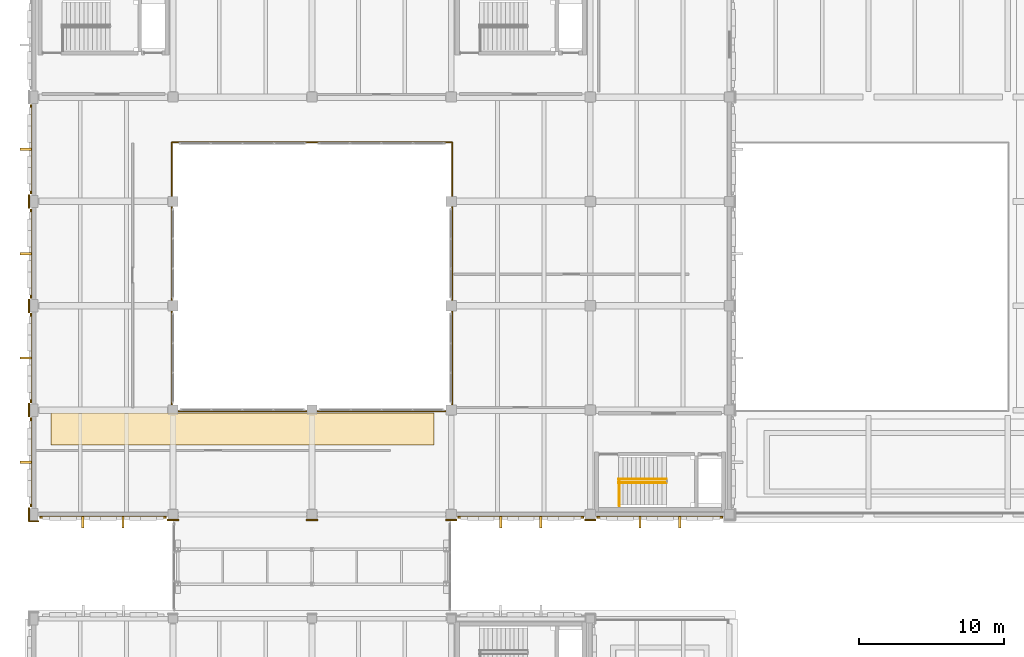
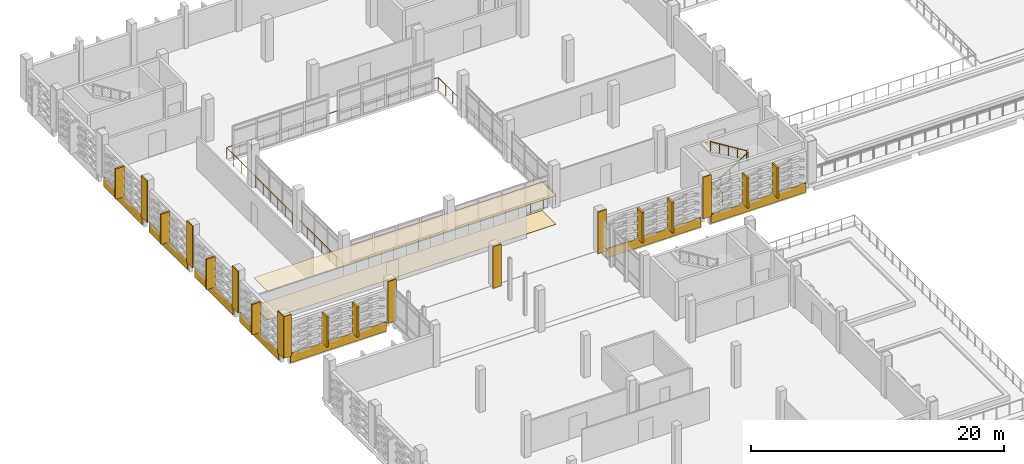
# One storey, part 126 of 134: 28 coverings, 5 railings.
"""IFC4 building model written with IfcOpenShell, lengths in metres."""

from ifc_helpers import new_model, si_unit, direction, frame, origin, origin_2d, place, context, subcontext, project, spatial, polyline, rectangle, circle, outline, extrude, material, layer, layer_set, type_object, element, save


model = new_model("IFC4")

# Units and contexts
model_context = context("Model", 3, precision=1e-05, world=origin(), true_north=direction((0.0, 1.0)))
body_context = subcontext(model_context, "Body", "Model", "MODEL_VIEW")
ifc_project = project(units=[si_unit("LENGTHUNIT", "METRE"), si_unit("AREAUNIT", "SQUARE_METRE"), si_unit("VOLUMEUNIT", "CUBIC_METRE"), si_unit("PLANEANGLEUNIT", "RADIAN"), si_unit("MASSUNIT", "GRAM", prefix="KILO")], contexts=[model_context])

# Site, building, storey
site_placement = place(None, origin())
site = spatial("IfcSite", under=ifc_project, at=site_placement, CompositionType="ELEMENT")
building_placement = place(site_placement, origin())
building = spatial("IfcBuilding", under=site, at=building_placement, Name="Asteropetra Specialist Clinic", CompositionType="ELEMENT")
storey_placement = place(building_placement, frame((0.0, 0.0, 8.5)))
storey = spatial("IfcBuildingStorey", under=building, at=storey_placement, Name="L02", CompositionType="ELEMENT", Elevation=8.5)

# Coverings
ifc_material_1 = material(Name="Chevron terracotta mid", Category="masonry")
ifc_layer_1 = layer(ifc_material_1, 0.1201171875)
ifc_layer_set_1 = layer_set([ifc_layer_1], Name="Chevron terracotta mid")
covering_type_1 = type_object("IfcCoveringType", Name="CLD-TER-MID", PredefinedType="CLADDING", material=ifc_layer_set_1)
covering_1_placement = place(storey_placement, frame((4.77490234375, 69.409912109375, -0.800048828125), z_axis=(0.0, 0.0, 1.0), x_axis=(1.0, 0.0, 0.0)))
element("IfcCovering", 1, at=covering_1_placement, inside=storey, type_object=covering_type_1, Name="Chevron Spandrel Band CV-1424", PredefinedType="CLADDING", context=body_context, shape_type="SweptSolid", body=[
    extrude(rectangle(XDim=8.75, YDim=0.1201171875, at=origin_2d()), origin(), (0.0, 0.0, 1.0), 0.8798828125),
])
for number, where, z_axis, x_axis, name in (
    (2, (33.60009765625, 69.409912109375, -0.800048828125), (0.0, 0.0, 1.0), (1.0, 0.0, 0.0), "Chevron Spandrel Band CV-1428"),
    (3, (43.199951171875, 69.409912109375, -0.800048828125), (0.0, 0.0, 1.0), (1.0, 0.0, 0.0), "Chevron Spandrel Band CV-1430"),
):
    element("IfcCovering", number, at=place(storey_placement, frame(where, z_axis=z_axis, x_axis=x_axis)), inside=storey, type_object=covering_type_1, Name=name, PredefinedType="CLADDING", context=body_context, shape_type="SweptSolid", body=[
        extrude(rectangle(XDim=8.699951171875, YDim=0.1201171875, at=origin_2d()), origin(), (0.0, 0.0, 1.0), 0.8798828125),
    ])
for number, where, z_axis, x_axis, name in (
    (4, (-0.18994140625, 73.199951171875, -0.800048828125), (0.0, 0.0, 1.0), (1.0, 0.0, 0.0), "Chevron Spandrel Band CV-1432"),
    (5, (-0.18994140625, 80.39990234375, -0.800048828125), (0.0, 0.0, 1.0), (1.0, 0.0, 0.0), "Chevron Spandrel Band CV-1434"),
    (6, (-0.18994140625, 87.60009765625, -0.800048828125), (0.0, 0.0, 1.0), (1.0, 0.0, 0.0), "Chevron Spandrel Band CV-1436"),
    (7, (-0.18994140625, 94.800048828125, -0.800048828125), (0.0, 0.0, 1.0), (1.0, 0.0, 0.0), "Chevron Spandrel Band CV-1438"),
):
    element("IfcCovering", number, at=place(storey_placement, frame(where, z_axis=z_axis, x_axis=x_axis)), inside=storey, type_object=covering_type_1, Name=name, PredefinedType="CLADDING", context=body_context, shape_type="SweptSolid", body=[
        extrude(rectangle(XDim=0.1201171875, YDim=6.14990234375, at=origin_2d()), origin(), (0.0, 0.0, 1.0), 0.8798828125),
    ])
ifc_material_2 = material(Name="Hygienic acoustic ceiling tile")
ifc_layer_2 = layer(ifc_material_2, 0.02490234375)
ifc_layer_set_2 = layer_set([ifc_layer_2], Name="Hygienic acoustic ceiling tile")
covering_type_2 = type_object("IfcCoveringType", Name="CLG-ACOUSTIC", PredefinedType="CEILING", material=ifc_layer_set_2)
covering_2_placement = place(storey_placement, frame((0.0, 0.0, 2.75)))
element("IfcCovering", 8, at=covering_2_placement, inside=storey, type_object=covering_type_2, Name="Acoustic Ceiling CLG-L02-V4", PredefinedType="CEILING", context=body_context, shape_type="SweptSolid", body=[
    extrude(outline(polyline([(1.199951171875, 74.39990234375), (27.60009765625, 74.39990234375), (27.60009765625, 76.60009765625), (1.199951171875, 76.60009765625), (1.199951171875, 74.39990234375)])), origin(), (0.0, 0.0, 1.0), 0.02490234375),
])
ifc_material_3 = material(Name="Pentelic marble ashlar", Category="masonry")
ifc_layer_3 = layer(ifc_material_3, 0.159912109375)
ifc_layer_set_3 = layer_set([ifc_layer_3], Name="Pentelic marble ashlar")
covering_type_3 = type_object("IfcCoveringType", Name="CRN-ENTAB-600", PredefinedType="MOLDING", material=ifc_layer_set_3)
covering_3_placement = place(storey_placement, frame((0.0, 69.14306640625, 0.02001953125), z_axis=(0.0, 0.0, 1.0), x_axis=(1.0, 0.0, 0.0)))
element("IfcCovering", 9, at=covering_3_placement, inside=storey, type_object=covering_type_3, Name="Neoclassical Pilaster Facing CM-0649", PredefinedType="MOLDING", context=body_context, shape_type="SweptSolid", body=[
    extrude(rectangle(XDim=0.679931640625, YDim=0.080078125, at=origin_2d()), origin(), (0.0, 0.0, 1.0), 4.0400390625),
])
for number, where, z_axis, x_axis, name in (
    (10, (-0.33203125, 69.60009765625, 0.02001953125), (0.0, 0.0, 1.0), (1.0, 0.0, 0.0), "Neoclassical Pilaster Facing CM-0650"),
    (11, (-0.33203125, 76.800048828125, 0.02001953125), (0.0, 0.0, 1.0), (1.0, 0.0, 0.0), "Neoclassical Pilaster Facing CM-0651"),
    (12, (-0.33203125, 84.0, 0.02001953125), (0.0, 0.0, 1.0), (1.0, 0.0, 0.0), "Neoclassical Pilaster Facing CM-0652"),
    (13, (-0.33203125, 91.199951171875, 0.02001953125), (0.0, 0.0, 1.0), (1.0, 0.0, 0.0), "Neoclassical Pilaster Facing CM-0653"),
):
    element("IfcCovering", number, at=place(storey_placement, frame(where, z_axis=z_axis, x_axis=x_axis)), inside=storey, type_object=covering_type_3, Name=name, PredefinedType="MOLDING", context=body_context, shape_type="SweptSolid", body=[
        extrude(rectangle(XDim=0.080078125, YDim=0.929931640625, at=origin_2d()), origin(), (0.0, 0.0, 1.0), 4.0400390625),
    ])
for number, where, z_axis, x_axis, name in (
    (14, (9.60009765625, 69.218017578125, 0.02001953125), (0.0, 0.0, 1.0), (1.0, 0.0, 0.0), "Neoclassical Pilaster Facing CM-0658"),
    (15, (19.199951171875, 69.218017578125, 0.02001953125), (0.0, 0.0, 1.0), (1.0, 0.0, 0.0), "Neoclassical Pilaster Facing CM-0660"),
    (16, (28.800048828125, 69.218017578125, 0.02001953125), (0.0, 0.0, 1.0), (1.0, 0.0, 0.0), "Neoclassical Pilaster Facing CM-0662"),
    (17, (38.39990234375, 69.218017578125, 0.02001953125), (0.0, 0.0, 1.0), (1.0, 0.0, 0.0), "Neoclassical Pilaster Facing CM-0664"),
):
    element("IfcCovering", number, at=place(storey_placement, frame(where, z_axis=z_axis, x_axis=x_axis)), inside=storey, type_object=covering_type_3, Name=name, PredefinedType="MOLDING", context=body_context, shape_type="SweptSolid", body=[
        extrude(rectangle(XDim=0.780029296875, YDim=0.080078125, at=origin_2d()), origin(), (0.0, 0.0, 1.0), 4.0400390625),
    ])
ifc_material_4 = material(Name="Pentelic marble solar fin", Category="masonry")
ifc_layer_4 = layer(ifc_material_4, 0.080078125)
ifc_layer_set_4 = layer_set([ifc_layer_4], Name="Pentelic marble solar fin")
covering_type_4 = type_object("IfcCoveringType", Name="FIN-SOLAR-800", PredefinedType="MOLDING", material=ifc_layer_set_4)
for number, where, z_axis, x_axis, name in (
    (18, (3.389892578125, 69.054931640625, 0.070068359375), (0.0, 0.0, 1.0), (1.0, 0.0, 0.0), "Solar Shading Fin FN-0047"),
    (19, (6.159912109375, 69.054931640625, 0.070068359375), (0.0, 0.0, 1.0), (1.0, 0.0, 0.0), "Solar Shading Fin FN-0048"),
    (20, (32.223388671875, 69.054931640625, 0.070068359375), (0.0, 0.0, 1.0), (1.0, 0.0, 0.0), "Solar Shading Fin FN-0058"),
    (21, (34.976806640625, 69.054931640625, 0.070068359375), (0.0, 0.0, 1.0), (1.0, 0.0, 0.0), "Solar Shading Fin FN-0059"),
    (22, (41.8232421875, 69.054931640625, 0.070068359375), (0.0, 0.0, 1.0), (1.0, 0.0, 0.0), "Solar Shading Fin FN-0063"),
    (23, (44.57666015625, 69.054931640625, 0.070068359375), (0.0, 0.0, 1.0), (1.0, 0.0, 0.0), "Solar Shading Fin FN-0064"),
):
    element("IfcCovering", number, at=place(storey_placement, frame(where, z_axis=z_axis, x_axis=x_axis)), inside=storey, type_object=covering_type_4, Name=name, PredefinedType="MOLDING", context=body_context, shape_type="SweptSolid", body=[
        extrude(rectangle(XDim=0.159912109375, YDim=0.800048828125, at=origin_2d()), origin(), (0.0, 0.0, 1.0), 2.93994140625),
    ])
for number, where, z_axis, x_axis, name in (
    (24, (-0.544921875, 73.199951171875, 0.070068359375), (0.0, 0.0, 1.0), (1.0, 0.0, 0.0), "Solar Shading Fin FN-0068"),
    (25, (-0.544921875, 80.39990234375, 0.070068359375), (0.0, 0.0, 1.0), (1.0, 0.0, 0.0), "Solar Shading Fin FN-0070"),
    (26, (-0.544921875, 87.60009765625, 0.070068359375), (0.0, 0.0, 1.0), (1.0, 0.0, 0.0), "Solar Shading Fin FN-0072"),
    (27, (-0.544921875, 94.800048828125, 0.070068359375), (0.0, 0.0, 1.0), (1.0, 0.0, 0.0), "Solar Shading Fin FN-0074"),
):
    element("IfcCovering", number, at=place(storey_placement, frame(where, z_axis=z_axis, x_axis=x_axis)), inside=storey, type_object=covering_type_4, Name=name, PredefinedType="MOLDING", context=body_context, shape_type="SweptSolid", body=[
        extrude(rectangle(XDim=0.800048828125, YDim=0.159912109375, at=origin_2d()), origin(), (0.0, 0.0, 1.0), 2.93994140625),
    ])
ifc_material_5 = material(Name="Attic marble terrazzo flooring", Category="masonry")
ifc_layer_5 = layer(ifc_material_5, 0.02001953125)
ifc_layer_set_5 = layer_set([ifc_layer_5], Name="Attic marble terrazzo flooring")
covering_type_5 = type_object("IfcCoveringType", Name="FLR-TERRAZZO", PredefinedType="FLOORING", material=ifc_layer_set_5)
covering_4_placement = place(storey_placement, origin())
element("IfcCovering", 28, at=covering_4_placement, inside=storey, type_object=covering_type_5, Name="Terrazzo Flooring CLG-L02-V4", PredefinedType="FLOORING", context=body_context, shape_type="SweptSolid", body=[
    extrude(outline(polyline([(1.199951171875, 74.39990234375), (27.60009765625, 74.39990234375), (27.60009765625, 76.60009765625), (1.199951171875, 76.60009765625), (1.199951171875, 74.39990234375)])), origin(), (0.0, 0.0, 1.0), 0.02001953125),
])

# Railings
ifc_material_6 = material(Name="Powder-coated Steel S355 guardrail", Category="steel")
railing_type_1 = type_object("IfcRailingType", Name="GRD-EXT-1120", PredefinedType="GUARDRAIL", material=ifc_material_6)
railing_1_placement = place(storey_placement, frame((9.52001953125, 76.719970703125, 0.0)))
element("IfcRailing", 29, at=railing_1_placement, inside=storey, type_object=railing_type_1, Name="Perimeter Guard GRD-CT-L02-03A", PredefinedType="GUARDRAIL", context=body_context, shape_type="SweptSolid", body=[
    extrude(circle(Radius=0.02392578125, at=origin_2d()), frame((0.0, 0.0, 1.09619140625), z_axis=(1.0, 0.0, 0.0), x_axis=(0.0, 1.0, 0.0)), (0.0, 0.0, 1.0), 19.35986328125),
    extrude(circle(Radius=0.02392578125, at=origin_2d()), frame((19.35986328125, 0.0, 1.09619140625), z_axis=(0.0, 1.0, 0.0), x_axis=(-1.0, 0.0, 0.0)), (0.0, 0.0, 1.0), 18.56005859375),
    extrude(circle(Radius=0.02099609375, at=origin_2d()), origin(), (0.0, 0.0, 1.0), 1.072021484375),
    extrude(circle(Radius=0.02099609375, at=origin_2d()), frame((1.138916015625, 0.0, 0.0)), (0.0, 0.0, 1.0), 1.072021484375),
    extrude(circle(Radius=0.02099609375, at=origin_2d()), frame((2.277587890625, 0.0, 0.0)), (0.0, 0.0, 1.0), 1.072021484375),
    extrude(circle(Radius=0.02099609375, at=origin_2d()), frame((3.41650390625, 0.0, 0.0)), (0.0, 0.0, 1.0), 1.072021484375),
    extrude(circle(Radius=0.02099609375, at=origin_2d()), frame((4.55517578125, 0.0, 0.0)), (0.0, 0.0, 1.0), 1.072021484375),
    extrude(circle(Radius=0.02099609375, at=origin_2d()), frame((5.694091796875, 0.0, 0.0)), (0.0, 0.0, 1.0), 1.072021484375),
    extrude(circle(Radius=0.02099609375, at=origin_2d()), frame((6.8330078125, 0.0, 0.0)), (0.0, 0.0, 1.0), 1.072021484375),
    extrude(circle(Radius=0.02099609375, at=origin_2d()), frame((7.9716796875, 0.0, 0.0)), (0.0, 0.0, 1.0), 1.072021484375),
    extrude(circle(Radius=0.02099609375, at=origin_2d()), frame((9.110595703125, 0.0, 0.0)), (0.0, 0.0, 1.0), 1.072021484375),
    extrude(circle(Radius=0.02099609375, at=origin_2d()), frame((10.249267578125, 0.0, 0.0)), (0.0, 0.0, 1.0), 1.072021484375),
    extrude(circle(Radius=0.02099609375, at=origin_2d()), frame((11.38818359375, 0.0, 0.0)), (0.0, 0.0, 1.0), 1.072021484375),
    extrude(circle(Radius=0.02099609375, at=origin_2d()), frame((12.52685546875, 0.0, 0.0)), (0.0, 0.0, 1.0), 1.072021484375),
    extrude(circle(Radius=0.02099609375, at=origin_2d()), frame((13.665771484375, 0.0, 0.0)), (0.0, 0.0, 1.0), 1.072021484375),
    extrude(circle(Radius=0.02099609375, at=origin_2d()), frame((14.8046875, 0.0, 0.0)), (0.0, 0.0, 1.0), 1.072021484375),
    extrude(circle(Radius=0.02099609375, at=origin_2d()), frame((15.943359375, 0.0, 0.0)), (0.0, 0.0, 1.0), 1.072021484375),
    extrude(circle(Radius=0.02099609375, at=origin_2d()), frame((17.082275390625, 0.0, 0.0)), (0.0, 0.0, 1.0), 1.072021484375),
    extrude(circle(Radius=0.02099609375, at=origin_2d()), frame((18.220947265625, 0.0, 0.0)), (0.0, 0.0, 1.0), 1.072021484375),
    extrude(circle(Radius=0.02099609375, at=origin_2d()), frame((19.35986328125, 0.0, 0.0)), (0.0, 0.0, 1.0), 1.072021484375),
    extrude(circle(Radius=0.02099609375, at=origin_2d()), frame((19.35986328125, 1.159912109375, 0.0)), (0.0, 0.0, 1.0), 1.072021484375),
    extrude(circle(Radius=0.02099609375, at=origin_2d()), frame((19.35986328125, 2.320068359375, 0.0)), (0.0, 0.0, 1.0), 1.072021484375),
    extrude(circle(Radius=0.02099609375, at=origin_2d()), frame((19.35986328125, 3.47998046875, 0.0)), (0.0, 0.0, 1.0), 1.072021484375),
    extrude(circle(Radius=0.02099609375, at=origin_2d()), frame((19.35986328125, 4.64013671875, 0.0)), (0.0, 0.0, 1.0), 1.072021484375),
    extrude(circle(Radius=0.02099609375, at=origin_2d()), frame((19.35986328125, 5.800048828125, 0.0)), (0.0, 0.0, 1.0), 1.072021484375),
    extrude(circle(Radius=0.02099609375, at=origin_2d()), frame((19.35986328125, 6.9599609375, 0.0)), (0.0, 0.0, 1.0), 1.072021484375),
    extrude(circle(Radius=0.02099609375, at=origin_2d()), frame((19.35986328125, 8.1201171875, 0.0)), (0.0, 0.0, 1.0), 1.072021484375),
    extrude(circle(Radius=0.02099609375, at=origin_2d()), frame((19.35986328125, 9.280029296875, 0.0)), (0.0, 0.0, 1.0), 1.072021484375),
    extrude(circle(Radius=0.02099609375, at=origin_2d()), frame((19.35986328125, 10.43994140625, 0.0)), (0.0, 0.0, 1.0), 1.072021484375),
    extrude(circle(Radius=0.02099609375, at=origin_2d()), frame((19.35986328125, 11.60009765625, 0.0)), (0.0, 0.0, 1.0), 1.072021484375),
    extrude(circle(Radius=0.02099609375, at=origin_2d()), frame((19.35986328125, 12.760009765625, 0.0)), (0.0, 0.0, 1.0), 1.072021484375),
    extrude(circle(Radius=0.02099609375, at=origin_2d()), frame((19.35986328125, 13.919921875, 0.0)), (0.0, 0.0, 1.0), 1.072021484375),
    extrude(circle(Radius=0.02099609375, at=origin_2d()), frame((19.35986328125, 15.080078125, 0.0)), (0.0, 0.0, 1.0), 1.072021484375),
    extrude(circle(Radius=0.02099609375, at=origin_2d()), frame((19.35986328125, 16.239990234375, 0.0)), (0.0, 0.0, 1.0), 1.072021484375),
    extrude(circle(Radius=0.02099609375, at=origin_2d()), frame((19.35986328125, 17.400146484375, 0.0)), (0.0, 0.0, 1.0), 1.072021484375),
    extrude(circle(Radius=0.02099609375, at=origin_2d()), frame((19.35986328125, 18.56005859375, 0.0)), (0.0, 0.0, 1.0), 1.072021484375),
])
railing_2_placement = place(storey_placement, frame((28.8798828125, 95.280029296875, 0.0)))
element("IfcRailing", 30, at=railing_2_placement, inside=storey, type_object=railing_type_1, Name="Perimeter Guard GRD-CT-L02-03B", PredefinedType="GUARDRAIL", context=body_context, shape_type="SweptSolid", body=[
    extrude(circle(Radius=0.02392578125, at=origin_2d()), frame((0.0, 0.0, 1.09619140625), z_axis=(-1.0, 0.0, 0.0), x_axis=(0.0, -1.0, 0.0)), (0.0, 0.0, 1.0), 19.35986328125),
    extrude(circle(Radius=0.02392578125, at=origin_2d()), frame((-19.35986328125, 0.0, 1.09619140625), z_axis=(0.0, -1.0, 0.0), x_axis=(1.0, 0.0, 0.0)), (0.0, 0.0, 1.0), 18.56005859375),
    extrude(circle(Radius=0.02099609375, at=origin_2d()), origin(), (0.0, 0.0, 1.0), 1.072021484375),
    extrude(circle(Radius=0.02099609375, at=origin_2d()), frame((-1.138916015625, 0.0, 0.0)), (0.0, 0.0, 1.0), 1.072021484375),
    extrude(circle(Radius=0.02099609375, at=origin_2d()), frame((-2.277587890625, 0.0, 0.0)), (0.0, 0.0, 1.0), 1.072021484375),
    extrude(circle(Radius=0.02099609375, at=origin_2d()), frame((-3.41650390625, 0.0, 0.0)), (0.0, 0.0, 1.0), 1.072021484375),
    extrude(circle(Radius=0.02099609375, at=origin_2d()), frame((-4.55517578125, 0.0, 0.0)), (0.0, 0.0, 1.0), 1.072021484375),
    extrude(circle(Radius=0.02099609375, at=origin_2d()), frame((-5.694091796875, 0.0, 0.0)), (0.0, 0.0, 1.0), 1.072021484375),
    extrude(circle(Radius=0.02099609375, at=origin_2d()), frame((-6.8330078125, 0.0, 0.0)), (0.0, 0.0, 1.0), 1.072021484375),
    extrude(circle(Radius=0.02099609375, at=origin_2d()), frame((-7.9716796875, 0.0, 0.0)), (0.0, 0.0, 1.0), 1.072021484375),
    extrude(circle(Radius=0.02099609375, at=origin_2d()), frame((-9.110595703125, 0.0, 0.0)), (0.0, 0.0, 1.0), 1.072021484375),
    extrude(circle(Radius=0.02099609375, at=origin_2d()), frame((-10.249267578125, 0.0, 0.0)), (0.0, 0.0, 1.0), 1.072021484375),
    extrude(circle(Radius=0.02099609375, at=origin_2d()), frame((-11.38818359375, 0.0, 0.0)), (0.0, 0.0, 1.0), 1.072021484375),
    extrude(circle(Radius=0.02099609375, at=origin_2d()), frame((-12.52685546875, 0.0, 0.0)), (0.0, 0.0, 1.0), 1.072021484375),
    extrude(circle(Radius=0.02099609375, at=origin_2d()), frame((-13.665771484375, 0.0, 0.0)), (0.0, 0.0, 1.0), 1.072021484375),
    extrude(circle(Radius=0.02099609375, at=origin_2d()), frame((-14.8046875, 0.0, 0.0)), (0.0, 0.0, 1.0), 1.072021484375),
    extrude(circle(Radius=0.02099609375, at=origin_2d()), frame((-15.943359375, 0.0, 0.0)), (0.0, 0.0, 1.0), 1.072021484375),
    extrude(circle(Radius=0.02099609375, at=origin_2d()), frame((-17.082275390625, 0.0, 0.0)), (0.0, 0.0, 1.0), 1.072021484375),
    extrude(circle(Radius=0.02099609375, at=origin_2d()), frame((-18.220947265625, 0.0, 0.0)), (0.0, 0.0, 1.0), 1.072021484375),
    extrude(circle(Radius=0.02099609375, at=origin_2d()), frame((-19.35986328125, 0.0, 0.0)), (0.0, 0.0, 1.0), 1.072021484375),
    extrude(circle(Radius=0.02099609375, at=origin_2d()), frame((-19.35986328125, -1.159912109375, 0.0)), (0.0, 0.0, 1.0), 1.072021484375),
    extrude(circle(Radius=0.02099609375, at=origin_2d()), frame((-19.35986328125, -2.320068359375, 0.0)), (0.0, 0.0, 1.0), 1.072021484375),
    extrude(circle(Radius=0.02099609375, at=origin_2d()), frame((-19.35986328125, -3.47998046875, 0.0)), (0.0, 0.0, 1.0), 1.072021484375),
    extrude(circle(Radius=0.02099609375, at=origin_2d()), frame((-19.35986328125, -4.64013671875, 0.0)), (0.0, 0.0, 1.0), 1.072021484375),
    extrude(circle(Radius=0.02099609375, at=origin_2d()), frame((-19.35986328125, -5.800048828125, 0.0)), (0.0, 0.0, 1.0), 1.072021484375),
    extrude(circle(Radius=0.02099609375, at=origin_2d()), frame((-19.35986328125, -6.9599609375, 0.0)), (0.0, 0.0, 1.0), 1.072021484375),
    extrude(circle(Radius=0.02099609375, at=origin_2d()), frame((-19.35986328125, -8.1201171875, 0.0)), (0.0, 0.0, 1.0), 1.072021484375),
    extrude(circle(Radius=0.02099609375, at=origin_2d()), frame((-19.35986328125, -9.280029296875, 0.0)), (0.0, 0.0, 1.0), 1.072021484375),
    extrude(circle(Radius=0.02099609375, at=origin_2d()), frame((-19.35986328125, -10.43994140625, 0.0)), (0.0, 0.0, 1.0), 1.072021484375),
    extrude(circle(Radius=0.02099609375, at=origin_2d()), frame((-19.35986328125, -11.60009765625, 0.0)), (0.0, 0.0, 1.0), 1.072021484375),
    extrude(circle(Radius=0.02099609375, at=origin_2d()), frame((-19.35986328125, -12.760009765625, 0.0)), (0.0, 0.0, 1.0), 1.072021484375),
    extrude(circle(Radius=0.02099609375, at=origin_2d()), frame((-19.35986328125, -13.919921875, 0.0)), (0.0, 0.0, 1.0), 1.072021484375),
    extrude(circle(Radius=0.02099609375, at=origin_2d()), frame((-19.35986328125, -15.080078125, 0.0)), (0.0, 0.0, 1.0), 1.072021484375),
    extrude(circle(Radius=0.02099609375, at=origin_2d()), frame((-19.35986328125, -16.239990234375, 0.0)), (0.0, 0.0, 1.0), 1.072021484375),
    extrude(circle(Radius=0.02099609375, at=origin_2d()), frame((-19.35986328125, -17.400146484375, 0.0)), (0.0, 0.0, 1.0), 1.072021484375),
    extrude(circle(Radius=0.02099609375, at=origin_2d()), frame((-19.35986328125, -18.56005859375, 0.0)), (0.0, 0.0, 1.0), 1.072021484375),
])
ifc_material_7 = material(Name="Steel S355 and laminated glass guard", Category="steel")
railing_type_2 = type_object("IfcRailingType", Name="GRD-INT-1120", PredefinedType="GUARDRAIL", material=ifc_material_7)
railing_3_placement = place(storey_placement, frame((40.39990234375, 70.199951171875, 0.0)))
element("IfcRailing", 31, at=railing_3_placement, inside=storey, type_object=railing_type_2, Name="Stair Well Guard ST03-L01", PredefinedType="GUARDRAIL", context=body_context, shape_type="SweptSolid", body=[
    extrude(circle(Radius=0.02392578125, at=origin_2d()), frame((0.0, 0.0, 1.09619140625), z_axis=(0.0, 1.0, 0.0), x_axis=(-1.0, 0.0, 0.0)), (0.0, 0.0, 1.0), 1.780029296875),
    extrude(circle(Radius=0.02099609375, at=origin_2d()), origin(), (0.0, 0.0, 1.0), 1.072021484375),
    extrude(circle(Radius=0.02099609375, at=origin_2d()), frame((0.0, 0.89013671875, 0.0)), (0.0, 0.0, 1.0), 1.072021484375),
    extrude(circle(Radius=0.02099609375, at=origin_2d()), frame((0.0, 1.780029296875, 0.0)), (0.0, 0.0, 1.0), 1.072021484375),
])
ifc_material_8 = material(Name="Brushed stainless steel handrail", Category="steel")
railing_type_3 = type_object("IfcRailingType", Name="HRL-STAIR-920", PredefinedType="HANDRAIL", material=ifc_material_8)
railing_4_placement = place(storey_placement, frame((40.35009765625, 71.7900390625, 0.0)))
element("IfcRailing", 32, at=railing_4_placement, inside=storey, type_object=railing_type_3, Name="Stair Handrail ST03-L02 F1", PredefinedType="HANDRAIL", context=body_context, shape_type="SweptSolid", body=[
    extrude(circle(Radius=0.02392578125, at=origin_2d()), frame((0.0, 0.0, 0.89599609375), z_axis=(0.850576145773, 0.0, 0.525851899532), x_axis=(0.0, 1.0, 0.0)), (0.0, 0.0, 1.0), 3.87939453125),
    extrude(circle(Radius=0.02099609375, at=origin_2d()), origin(), (0.0, 0.0, 1.0), 0.871826171875),
    extrude(circle(Radius=0.02099609375, at=origin_2d()), frame((0.824951171875, 0.0, 0.510009765625)), (0.0, 0.0, 1.0), 0.871826171875),
    extrude(circle(Radius=0.02099609375, at=origin_2d()), frame((1.64990234375, 0.0, 1.02001953125)), (0.0, 0.0, 1.0), 0.871826171875),
    extrude(circle(Radius=0.02099609375, at=origin_2d()), frame((2.474853515625, 0.0, 1.530029296875)), (0.0, 0.0, 1.0), 0.871826171875),
    extrude(circle(Radius=0.02099609375, at=origin_2d()), frame((3.2998046875, 0.0, 2.0400390625)), (0.0, 0.0, 1.0), 0.871826171875),
])
railing_5_placement = place(storey_placement, frame((43.64990234375, 72.030029296875, 2.0400390625)))
element("IfcRailing", 33, at=railing_5_placement, inside=storey, type_object=railing_type_3, Name="Stair Handrail ST03-L02 F2", PredefinedType="HANDRAIL", context=body_context, shape_type="SweptSolid", body=[
    extrude(circle(Radius=0.02392578125, at=origin_2d()), frame((0.0, 0.0, 0.89599609375), z_axis=(-0.850576145773, 0.0, 0.525851899532), x_axis=(0.0, -1.0, 0.0)), (0.0, 0.0, 1.0), 3.87939453125),
    extrude(circle(Radius=0.02099609375, at=origin_2d()), origin(), (0.0, 0.0, 1.0), 0.871826171875),
    extrude(circle(Radius=0.02099609375, at=origin_2d()), frame((-0.824951171875, 0.0, 0.510009765625)), (0.0, 0.0, 1.0), 0.871826171875),
    extrude(circle(Radius=0.02099609375, at=origin_2d()), frame((-1.64990234375, 0.0, 1.02001953125)), (0.0, 0.0, 1.0), 0.871826171875),
    extrude(circle(Radius=0.02099609375, at=origin_2d()), frame((-2.474853515625, 0.0, 1.530029296875)), (0.0, 0.0, 1.0), 0.871826171875),
    extrude(circle(Radius=0.02099609375, at=origin_2d()), frame((-3.2998046875, 0.0, 2.0400390625)), (0.0, 0.0, 1.0), 0.871826171875),
])

save(model, "model.ifc")
